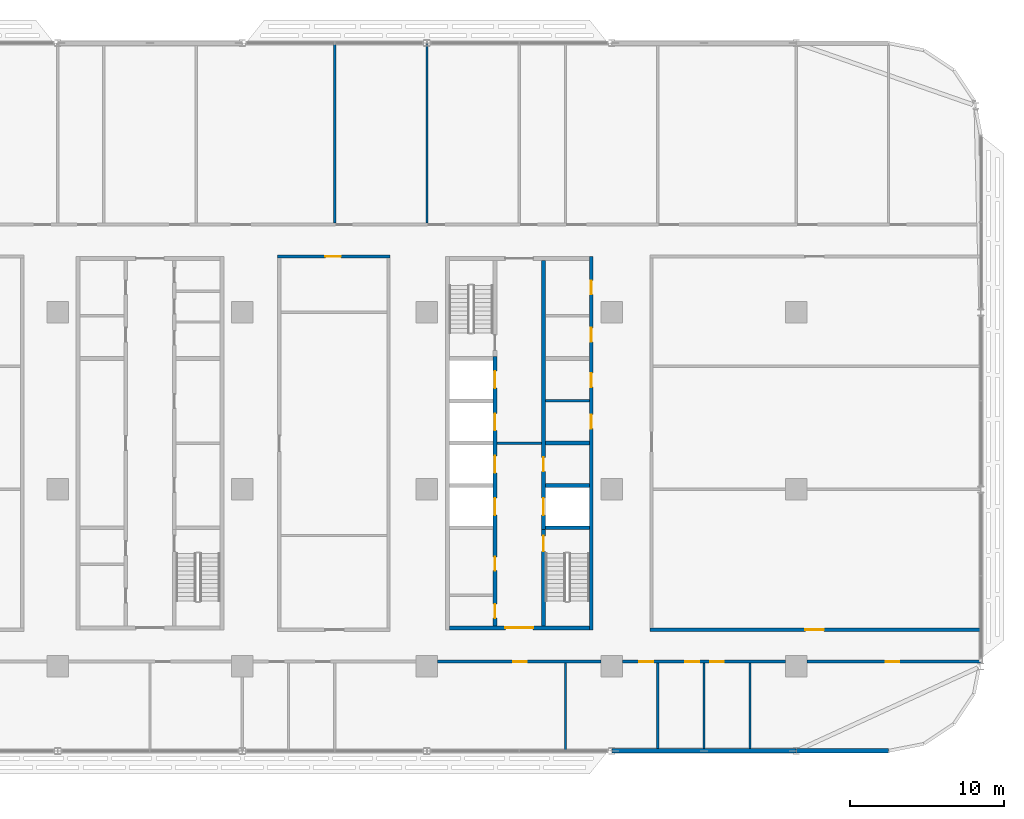
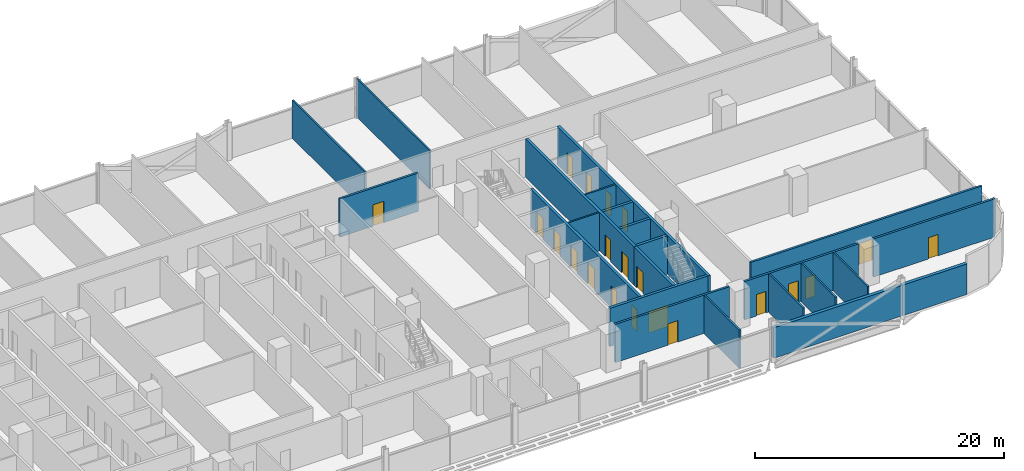
# One storey, part 16 of 29: 23 walls, 21 doors, 21 openings.
"""IFC4 building model written with IfcOpenShell, lengths in metres."""

from ifc_helpers import new_model, si_unit, direction, frame, frame_2d, origin, place, context, subcontext, project, spatial, rectangle, extrude, material, layer, layer_set, type_object, element, fill, save


model = new_model("IFC4")

# Units and contexts
model_context = context("Model", 3, precision=1e-05, world=origin(), true_north=direction((0.0, 1.0)))
body_context = subcontext(model_context, "Body", "Model", "MODEL_VIEW")
ifc_project = project(units=[si_unit("LENGTHUNIT", "METRE"), si_unit("AREAUNIT", "SQUARE_METRE"), si_unit("VOLUMEUNIT", "CUBIC_METRE"), si_unit("PLANEANGLEUNIT", "RADIAN"), si_unit("MASSUNIT", "GRAM", prefix="KILO")], contexts=[model_context])

# Site, building, storey
site_placement = place(None, origin())
site = spatial("IfcSite", under=ifc_project, at=site_placement, CompositionType="ELEMENT")
building_placement = place(site_placement, origin())
building = spatial("IfcBuilding", under=site, at=building_placement, Name="Mahtab Terrace Research Tower", CompositionType="ELEMENT")
storey_placement = place(building_placement, frame((0.0, 0.0, 105.300048828125)))
storey = spatial("IfcBuildingStorey", under=building, at=storey_placement, Name="L24", CompositionType="ELEMENT", Elevation=105.300048828125)

# Walls
ifc_material_1 = material(Name="Gypsum board partition")
ifc_layer_1 = layer(ifc_material_1, 0.14990234375)
ifc_layer_set_1 = layer_set([ifc_layer_1], Name="Core partition 150")
wall_type_1 = type_object("IfcWallType", Name="Core partition 150", PredefinedType="PARTITIONING", material=ifc_layer_set_1)
wall_1_placement = place(storey_placement, frame((22.550048828125, 3.0, 0.0), z_axis=(0.0, 0.0, 1.0), x_axis=(1.0, 0.0, 0.0)))
element("IfcWall", 1, at=wall_1_placement, inside=storey, type_object=wall_type_1, Name="Core wall C ffl", PredefinedType="PARTITIONING", context=body_context, shape_type="SweptSolid", body=[
    extrude(rectangle(XDim=2.89990234375, YDim=0.14990234375, at=frame_2d((1.449951171875, 0.0))), origin(), (0.0, 0.0, 1.0), 3.760009765625),
])
wall_2_placement = place(storey_placement, frame((25.699951171875, 5.75, 0.0), z_axis=(0.0, 0.0, 1.0), x_axis=(1.0, 0.0, 0.0)))
element("IfcWall", 2, at=wall_2_placement, inside=storey, type_object=wall_type_1, Name="Core wall C pEL275", PredefinedType="PARTITIONING", context=body_context, shape_type="SweptSolid", body=[
    extrude(rectangle(XDim=2.85009765625, YDim=0.14990234375, at=frame_2d((1.425048828125, 0.0))), origin(), (0.0, 0.0, 1.0), 3.760009765625),
])

# Wall, openings, doors
ifc_material_2 = material(Name="Concrete C70/85", Category="concrete")
ifc_layer_2 = layer(ifc_material_2, 0.25)
ifc_layer_set_2 = layer_set([ifc_layer_2], Name="Core wall 250")
wall_type_2 = type_object("IfcWallType", Name="Core wall 250", PredefinedType="SOLIDWALL", material=ifc_layer_set_2)
wall_3_placement = place(storey_placement, frame((28.675048828125, -9.125, 0.0), z_axis=(0.0, 0.0, 1.0), x_axis=(0.0, 1.0, 0.0)))
wall_3 = element("IfcWall", 3, at=wall_3_placement, inside=storey, type_object=wall_type_2, Name="Core wall C outerE", PredefinedType="SOLIDWALL", context=body_context, shape_type="SweptSolid", body=[
    extrude(rectangle(XDim=24.25, YDim=0.25, at=frame_2d((12.125, 0.0))), origin(), (0.0, 0.0, 1.0), 3.760009765625),
])
opening_1_placement = place(wall_3_placement, frame((13.074951171875, 0.0, 0.0)))
opening_1 = element("IfcOpeningElement", 4, at=opening_1_placement, cuts=wall_3, Name="Opening C-R2", PredefinedType="OPENING", context=body_context, shape_type="SweptSolid", body=[
    extrude(rectangle(XDim=0.89990234375, YDim=2.10009765625, at=frame_2d((0.449951171875, 1.050048828125))), frame((0.0, 0.135009765625, 0.0), z_axis=(0.0, -1.0, 0.0), x_axis=(1.0, 0.0, 0.0)), (0.0, 0.0, 1.0), 0.27001953125),
])
opening_2_placement = place(wall_3_placement, frame((15.77490234375, 0.0, 0.0)))
opening_2 = element("IfcOpeningElement", 5, at=opening_2_placement, cuts=wall_3, Name="Opening C-R3", PredefinedType="OPENING", context=body_context, shape_type="SweptSolid", body=[
    extrude(rectangle(XDim=0.89990234375, YDim=2.10009765625, at=frame_2d((0.449951171875, 1.050048828125))), frame((0.0, 0.135009765625, 0.0), z_axis=(0.0, -1.0, 0.0), x_axis=(1.0, 0.0, 0.0)), (0.0, 0.0, 1.0), 0.27001953125),
])
opening_3_placement = place(wall_3_placement, frame((18.71240234375, 0.0, 0.0)))
opening_3 = element("IfcOpeningElement", 6, at=opening_3_placement, cuts=wall_3, Name="Opening C-R6", PredefinedType="OPENING", context=body_context, shape_type="SweptSolid", body=[
    extrude(rectangle(XDim=0.89990234375, YDim=2.10009765625, at=frame_2d((0.449951171875, 1.050048828125))), frame((0.0, 0.135009765625, 0.0), z_axis=(0.0, -1.0, 0.0), x_axis=(1.0, 0.0, 0.0)), (0.0, 0.0, 1.0), 0.27001953125),
])
opening_4_placement = place(wall_3_placement, frame((21.78759765625, 0.0, 0.0)))
opening_4 = element("IfcOpeningElement", 7, at=opening_4_placement, cuts=wall_3, Name="Opening C-R7", PredefinedType="OPENING", context=body_context, shape_type="SweptSolid", body=[
    extrude(rectangle(XDim=0.89990234375, YDim=2.10009765625, at=frame_2d((0.449951171875, 1.050048828125))), frame((0.0, 0.135009765625, 0.0), z_axis=(0.0, -1.0, 0.0), x_axis=(1.0, 0.0, 0.0)), (0.0, 0.0, 1.0), 0.27001953125),
])
ifc_material_3 = material(Name="Steel fire door", Category="steel")
door_type_1 = type_object("IfcDoorType", Name="Room door 900x2100 1 HR", OperationType="NOTDEFINED", PredefinedType="DOOR", material=ifc_material_3)
door_1_placement = place(opening_1_placement, origin())
door_1 = element("IfcDoor", 8, at=door_1_placement, inside=storey, type_object=door_type_1, Name="Document store door", OperationType="SINGLE_SWING_RIGHT", OverallHeight=2.10009765625, OverallWidth=0.89990234375, PredefinedType="DOOR", context=body_context, shape_type="SweptSolid", body=[
    extrude(rectangle(XDim=0.89990234375, YDim=2.10009765625, at=frame_2d((0.449951171875, 1.050048828125))), frame((0.0, 0.02490234375, 0.0), z_axis=(0.0, -1.0, 0.0), x_axis=(1.0, 0.0, 0.0)), (0.0, 0.0, 1.0), 0.050048828125),
])
fill(opening_1, door_1)
door_2_placement = place(opening_2_placement, origin())
door_2 = element("IfcDoor", 9, at=door_2_placement, inside=storey, type_object=door_type_1, Name="IT equipment room door", OperationType="SINGLE_SWING_LEFT", OverallHeight=2.10009765625, OverallWidth=0.89990234375, PredefinedType="DOOR", context=body_context, shape_type="SweptSolid", body=[
    extrude(rectangle(XDim=0.89990234375, YDim=2.10009765625, at=frame_2d((0.449951171875, 1.050048828125))), frame((0.0, 0.02490234375, 0.0), z_axis=(0.0, -1.0, 0.0), x_axis=(1.0, 0.0, 0.0)), (0.0, 0.0, 1.0), 0.050048828125),
])
fill(opening_2, door_2)
door_3_placement = place(opening_3_placement, origin())
door_3 = element("IfcDoor", 10, at=door_3_placement, inside=storey, type_object=door_type_1, Name="Mechanical riser room door", OperationType="SINGLE_SWING_RIGHT", OverallHeight=2.10009765625, OverallWidth=0.89990234375, PredefinedType="DOOR", context=body_context, shape_type="SweptSolid", body=[
    extrude(rectangle(XDim=0.89990234375, YDim=2.10009765625, at=frame_2d((0.449951171875, 1.050048828125))), frame((0.0, 0.02490234375, 0.0), z_axis=(0.0, -1.0, 0.0), x_axis=(1.0, 0.0, 0.0)), (0.0, 0.0, 1.0), 0.050048828125),
])
fill(opening_3, door_3)
door_4_placement = place(opening_4_placement, origin())
door_4 = element("IfcDoor", 11, at=door_4_placement, inside=storey, type_object=door_type_1, Name="Chemical store door", OperationType="SINGLE_SWING_LEFT", OverallHeight=2.10009765625, OverallWidth=0.89990234375, PredefinedType="DOOR", context=body_context, shape_type="SweptSolid", body=[
    extrude(rectangle(XDim=0.89990234375, YDim=2.10009765625, at=frame_2d((0.449951171875, 1.050048828125))), frame((0.0, 0.02490234375, 0.0), z_axis=(0.0, -1.0, 0.0), x_axis=(1.0, 0.0, 0.0)), (0.0, 0.0, 1.0), 0.050048828125),
])
fill(opening_4, door_4)

# Wall, opening, door
wall_4_placement = place(storey_placement, frame((28.550048828125, -9.0, 0.0), z_axis=(0.0, 0.0, 1.0), x_axis=(-1.0, 0.0, 0.0)))
wall_4 = element("IfcWall", 12, at=wall_4_placement, inside=storey, type_object=wall_type_2, Name="Core wall C endS", PredefinedType="SOLIDWALL", context=body_context, shape_type="SweptSolid", body=[
    extrude(rectangle(XDim=9.10009765625, YDim=0.25, at=frame_2d((4.550048828125, 0.0))), origin(), (0.0, 0.0, 1.0), 3.760009765625),
])
opening_5_placement = place(wall_4_placement, frame((3.64990234375, 0.0, 0.0)))
opening_5 = element("IfcOpeningElement", 13, at=opening_5_placement, cuts=wall_4, Name="Opening C-S1", PredefinedType="OPENING", context=body_context, shape_type="SweptSolid", body=[
    extrude(rectangle(XDim=1.800048828125, YDim=2.10009765625, at=frame_2d((0.89990234375, 1.050048828125))), frame((0.0, 0.135009765625, 0.0), z_axis=(0.0, -1.0, 0.0), x_axis=(1.0, 0.0, 0.0)), (0.0, 0.0, 1.0), 0.27001953125),
])
door_type_2 = type_object("IfcDoorType", Name="Lobby double door 1800x2100 1 HR", OperationType="DOUBLE_DOOR_SINGLE_SWING", PredefinedType="DOOR", material=ifc_material_3)
door_5_placement = place(opening_5_placement, origin())
door_5 = element("IfcDoor", 14, at=door_5_placement, inside=storey, type_object=door_type_2, Name="Core entrance door C S", OperationType="DOUBLE_DOOR_SINGLE_SWING", OverallHeight=2.10009765625, OverallWidth=1.800048828125, PredefinedType="DOOR", context=body_context, shape_type="SweptSolid", body=[
    extrude(rectangle(XDim=1.800048828125, YDim=2.10009765625, at=frame_2d((0.89990234375, 1.050048828125))), frame((0.0, 0.02490234375, 0.0), z_axis=(0.0, -1.0, 0.0), x_axis=(1.0, 0.0, 0.0)), (0.0, 0.0, 1.0), 0.050048828125),
])
fill(opening_5, door_5)

# Wall, openings, doors
wall_5_placement = place(storey_placement, frame((22.425048828125, -8.875, 0.0), z_axis=(0.0, 0.0, 1.0), x_axis=(0.0, 1.0, 0.0)))
wall_5 = element("IfcWall", 15, at=wall_5_placement, inside=storey, type_object=wall_type_2, Name="Core wall C innerWSL", PredefinedType="SOLIDWALL", context=body_context, shape_type="SweptSolid", body=[
    extrude(rectangle(XDim=17.5, YDim=0.25, at=frame_2d((8.75, 0.0))), origin(), (0.0, 0.0, 1.0), 3.760009765625),
])
opening_6_placement = place(wall_5_placement, frame((7.199951171875, 0.0, 0.0)))
opening_6 = element("IfcOpeningElement", 16, at=opening_6_placement, cuts=wall_5, Name="Opening LD17-L24", PredefinedType="OPENING", context=body_context, shape_type="SweptSolid", body=[
    extrude(rectangle(XDim=1.10009765625, YDim=2.10009765625, at=frame_2d((0.550048828125, 1.050048828125))), frame((0.0, 0.135009765625, 0.0), z_axis=(0.0, -1.0, 0.0), x_axis=(1.0, 0.0, 0.0)), (0.0, 0.0, 1.0), 0.27001953125),
])
opening_7_placement = place(wall_5_placement, frame((9.949951171875, 0.0, 0.0)))
opening_7 = element("IfcOpeningElement", 17, at=opening_7_placement, cuts=wall_5, Name="Opening LD18-L24", PredefinedType="OPENING", context=body_context, shape_type="SweptSolid", body=[
    extrude(rectangle(XDim=1.10009765625, YDim=2.10009765625, at=frame_2d((0.550048828125, 1.050048828125))), frame((0.0, 0.135009765625, 0.0), z_axis=(0.0, -1.0, 0.0), x_axis=(1.0, 0.0, 0.0)), (0.0, 0.0, 1.0), 0.27001953125),
])
opening_8_placement = place(wall_5_placement, frame((12.699951171875, 0.0, 0.0)))
opening_8 = element("IfcOpeningElement", 18, at=opening_8_placement, cuts=wall_5, Name="Opening LD19-L24", PredefinedType="OPENING", context=body_context, shape_type="SweptSolid", body=[
    extrude(rectangle(XDim=1.10009765625, YDim=2.10009765625, at=frame_2d((0.550048828125, 1.050048828125))), frame((0.0, 0.135009765625, 0.0), z_axis=(0.0, -1.0, 0.0), x_axis=(1.0, 0.0, 0.0)), (0.0, 0.0, 1.0), 0.27001953125),
])
opening_9_placement = place(wall_5_placement, frame((15.449951171875, 0.0, 0.0)))
opening_9 = element("IfcOpeningElement", 19, at=opening_9_placement, cuts=wall_5, Name="Opening LD20-L24", PredefinedType="OPENING", context=body_context, shape_type="SweptSolid", body=[
    extrude(rectangle(XDim=1.10009765625, YDim=2.10009765625, at=frame_2d((0.550048828125, 1.050048828125))), frame((0.0, 0.135009765625, 0.0), z_axis=(0.0, -1.0, 0.0), x_axis=(1.0, 0.0, 0.0)), (0.0, 0.0, 1.0), 0.27001953125),
])
opening_10_placement = place(wall_5_placement, frame((0.512451171875, 0.0, 0.0)))
opening_10 = element("IfcOpeningElement", 20, at=opening_10_placement, cuts=wall_5, Name="Opening C-R4", PredefinedType="OPENING", context=body_context, shape_type="SweptSolid", body=[
    extrude(rectangle(XDim=0.89990234375, YDim=2.10009765625, at=frame_2d((0.449951171875, 1.050048828125))), frame((0.0, 0.135009765625, 0.0), z_axis=(0.0, -1.0, 0.0), x_axis=(1.0, 0.0, 0.0)), (0.0, 0.0, 1.0), 0.27001953125),
])
opening_11_placement = place(wall_5_placement, frame((3.58740234375, 0.0, 0.0)))
opening_11 = element("IfcOpeningElement", 21, at=opening_11_placement, cuts=wall_5, Name="Opening C-R5", PredefinedType="OPENING", context=body_context, shape_type="SweptSolid", body=[
    extrude(rectangle(XDim=0.89990234375, YDim=2.10009765625, at=frame_2d((0.449951171875, 1.050048828125))), frame((0.0, 0.135009765625, 0.0), z_axis=(0.0, -1.0, 0.0), x_axis=(1.0, 0.0, 0.0)), (0.0, 0.0, 1.0), 0.27001953125),
])
ifc_material_4 = material(Name="Stainless steel AISI 304", Category="steel")
door_type_3 = type_object("IfcDoorType", Name="Landing door 1100x2100", OperationType="DOUBLE_DOOR_SLIDING", PredefinedType="DOOR", material=ifc_material_4)
door_6_placement = place(opening_6_placement, origin())
door_6 = element("IfcDoor", 22, at=door_6_placement, inside=storey, type_object=door_type_3, Name="Landing door SV1 L24", OperationType="DOUBLE_DOOR_SLIDING", OverallHeight=2.10009765625, OverallWidth=1.10009765625, PredefinedType="DOOR", context=body_context, shape_type="SweptSolid", body=[
    extrude(rectangle(XDim=1.10009765625, YDim=2.10009765625, at=frame_2d((0.550048828125, 1.050048828125))), frame((0.0, 0.02490234375, 0.0), z_axis=(0.0, -1.0, 0.0), x_axis=(1.0, 0.0, 0.0)), (0.0, 0.0, 1.0), 0.050048828125),
])
fill(opening_6, door_6)
door_7_placement = place(opening_7_placement, origin())
door_7 = element("IfcDoor", 23, at=door_7_placement, inside=storey, type_object=door_type_3, Name="Landing door SV2 L24", OperationType="DOUBLE_DOOR_SLIDING", OverallHeight=2.10009765625, OverallWidth=1.10009765625, PredefinedType="DOOR", context=body_context, shape_type="SweptSolid", body=[
    extrude(rectangle(XDim=1.10009765625, YDim=2.10009765625, at=frame_2d((0.550048828125, 1.050048828125))), frame((0.0, 0.02490234375, 0.0), z_axis=(0.0, -1.0, 0.0), x_axis=(1.0, 0.0, 0.0)), (0.0, 0.0, 1.0), 0.050048828125),
])
fill(opening_7, door_7)
door_8_placement = place(opening_8_placement, origin())
door_8 = element("IfcDoor", 24, at=door_8_placement, inside=storey, type_object=door_type_3, Name="Landing door FF1 L24", OperationType="DOUBLE_DOOR_SLIDING", OverallHeight=2.10009765625, OverallWidth=1.10009765625, PredefinedType="DOOR", context=body_context, shape_type="SweptSolid", body=[
    extrude(rectangle(XDim=1.10009765625, YDim=2.10009765625, at=frame_2d((0.550048828125, 1.050048828125))), frame((0.0, 0.02490234375, 0.0), z_axis=(0.0, -1.0, 0.0), x_axis=(1.0, 0.0, 0.0)), (0.0, 0.0, 1.0), 0.050048828125),
])
fill(opening_8, door_8)
door_9_placement = place(opening_9_placement, origin())
door_9 = element("IfcDoor", 25, at=door_9_placement, inside=storey, type_object=door_type_3, Name="Landing door FF2 L24", OperationType="DOUBLE_DOOR_SLIDING", OverallHeight=2.10009765625, OverallWidth=1.10009765625, PredefinedType="DOOR", context=body_context, shape_type="SweptSolid", body=[
    extrude(rectangle(XDim=1.10009765625, YDim=2.10009765625, at=frame_2d((0.550048828125, 1.050048828125))), frame((0.0, 0.02490234375, 0.0), z_axis=(0.0, -1.0, 0.0), x_axis=(1.0, 0.0, 0.0)), (0.0, 0.0, 1.0), 0.050048828125),
])
fill(opening_9, door_9)
door_10_placement = place(opening_10_placement, origin())
door_10 = element("IfcDoor", 26, at=door_10_placement, inside=storey, type_object=door_type_1, Name="Accessible WC door", OperationType="SINGLE_SWING_RIGHT", OverallHeight=2.10009765625, OverallWidth=0.89990234375, PredefinedType="DOOR", context=body_context, shape_type="SweptSolid", body=[
    extrude(rectangle(XDim=0.89990234375, YDim=2.10009765625, at=frame_2d((0.449951171875, 1.050048828125))), frame((0.0, 0.02490234375, 0.0), z_axis=(0.0, -1.0, 0.0), x_axis=(1.0, 0.0, 0.0)), (0.0, 0.0, 1.0), 0.050048828125),
])
fill(opening_10, door_10)
door_11_placement = place(opening_11_placement, origin())
door_11 = element("IfcDoor", 27, at=door_11_placement, inside=storey, type_object=door_type_1, Name="WC block door", OperationType="SINGLE_SWING_LEFT", OverallHeight=2.10009765625, OverallWidth=0.89990234375, PredefinedType="DOOR", context=body_context, shape_type="SweptSolid", body=[
    extrude(rectangle(XDim=0.89990234375, YDim=2.10009765625, at=frame_2d((0.449951171875, 1.050048828125))), frame((0.0, 0.02490234375, 0.0), z_axis=(0.0, -1.0, 0.0), x_axis=(1.0, 0.0, 0.0)), (0.0, 0.0, 1.0), 0.050048828125),
])
fill(opening_11, door_11)

# Wall, opening, door
wall_6_placement = place(storey_placement, frame((25.574951171875, -8.875, 0.0), z_axis=(0.0, 0.0, 1.0), x_axis=(0.0, 1.0, 0.0)))
wall_6 = element("IfcWall", 28, at=wall_6_placement, inside=storey, type_object=wall_type_2, Name="Core wall C innerES", PredefinedType="SOLIDWALL", context=body_context, shape_type="SweptSolid", body=[
    extrude(rectangle(XDim=6.25, YDim=0.25, at=frame_2d((3.125, 0.0))), origin(), (0.0, 0.0, 1.0), 3.760009765625),
])
opening_12_placement = place(wall_6_placement, frame((4.85009765625, 0.0, 0.0)))
opening_12 = element("IfcOpeningElement", 29, at=opening_12_placement, cuts=wall_6, Name="Opening C-ST4", PredefinedType="OPENING", context=body_context, shape_type="SweptSolid", body=[
    extrude(rectangle(XDim=1.0, YDim=2.10009765625, at=frame_2d((0.5, 1.050048828125))), frame((0.0, 0.135009765625, 0.0), z_axis=(0.0, -1.0, 0.0), x_axis=(1.0, 0.0, 0.0)), (0.0, 0.0, 1.0), 0.27001953125),
])
door_type_4 = type_object("IfcDoorType", Name="Stair door 1000x2100 1.5 HR", OperationType="NOTDEFINED", PredefinedType="DOOR", material=ifc_material_3)
door_12_placement = place(opening_12_placement, origin())
door_12 = element("IfcDoor", 30, at=door_12_placement, inside=storey, type_object=door_type_4, Name="Stair door ST4 L24", OperationType="SINGLE_SWING_LEFT", OverallHeight=2.10009765625, OverallWidth=1.0, PredefinedType="DOOR", context=body_context, shape_type="SweptSolid", body=[
    extrude(rectangle(XDim=1.0, YDim=2.10009765625, at=frame_2d((0.5, 1.050048828125))), frame((0.0, 0.02490234375, 0.0), z_axis=(0.0, -1.0, 0.0), x_axis=(1.0, 0.0, 0.0)), (0.0, 0.0, 1.0), 0.050048828125),
])
fill(opening_12, door_12)

# Wall, openings, doors
wall_7_placement = place(storey_placement, frame((25.574951171875, 14.875, 0.0), z_axis=(0.0, 0.0, 1.0), x_axis=(0.0, -1.0, 0.0)))
wall_7 = element("IfcWall", 31, at=wall_7_placement, inside=storey, type_object=wall_type_2, Name="Core wall C innerELN", PredefinedType="SOLIDWALL", context=body_context, shape_type="SweptSolid", body=[
    extrude(rectangle(XDim=17.5, YDim=0.25, at=frame_2d((8.75, 0.0))), origin(), (0.0, 0.0, 1.0), 3.760009765625),
])
opening_13_placement = place(wall_7_placement, frame((15.449951171875, 0.0, 0.0)))
opening_13 = element("IfcOpeningElement", 32, at=opening_13_placement, cuts=wall_7, Name="Opening LD21-L24", PredefinedType="OPENING", context=body_context, shape_type="SweptSolid", body=[
    extrude(rectangle(XDim=1.10009765625, YDim=2.10009765625, at=frame_2d((0.550048828125, 1.050048828125))), frame((0.0, 0.135009765625, 0.0), z_axis=(0.0, -1.0, 0.0), x_axis=(1.0, 0.0, 0.0)), (0.0, 0.0, 1.0), 0.27001953125),
])
opening_14_placement = place(wall_7_placement, frame((12.800048828125, 0.0, 0.0)))
opening_14 = element("IfcOpeningElement", 33, at=opening_14_placement, cuts=wall_7, Name="Opening C-R1", PredefinedType="OPENING", context=body_context, shape_type="SweptSolid", body=[
    extrude(rectangle(XDim=0.89990234375, YDim=2.10009765625, at=frame_2d((0.449951171875, 1.050048828125))), frame((0.0, 0.135009765625, 0.0), z_axis=(0.0, -1.0, 0.0), x_axis=(1.0, 0.0, 0.0)), (0.0, 0.0, 1.0), 0.27001953125),
])
door_13_placement = place(opening_13_placement, origin())
door_13 = element("IfcDoor", 34, at=door_13_placement, inside=storey, type_object=door_type_3, Name="Landing door SV3 L24", OperationType="DOUBLE_DOOR_SLIDING", OverallHeight=2.10009765625, OverallWidth=1.10009765625, PredefinedType="DOOR", context=body_context, shape_type="SweptSolid", body=[
    extrude(rectangle(XDim=1.10009765625, YDim=2.10009765625, at=frame_2d((0.550048828125, 1.050048828125))), frame((0.0, 0.02490234375, 0.0), z_axis=(0.0, -1.0, 0.0), x_axis=(1.0, 0.0, 0.0)), (0.0, 0.0, 1.0), 0.050048828125),
])
fill(opening_13, door_13)
door_14_placement = place(opening_14_placement, origin())
door_14 = element("IfcDoor", 35, at=door_14_placement, inside=storey, type_object=door_type_1, Name="Plant room door", OperationType="SINGLE_SWING_LEFT", OverallHeight=2.10009765625, OverallWidth=0.89990234375, PredefinedType="DOOR", context=body_context, shape_type="SweptSolid", body=[
    extrude(rectangle(XDim=0.89990234375, YDim=2.10009765625, at=frame_2d((0.449951171875, 1.050048828125))), frame((0.0, 0.02490234375, 0.0), z_axis=(0.0, -1.0, 0.0), x_axis=(1.0, 0.0, 0.0)), (0.0, 0.0, 1.0), 0.050048828125),
])
fill(opening_14, door_14)

# Walls
for number, where, z_axis, x_axis, name in (
    (36, (25.699951171875, -2.5, 0.0), (0.0, 0.0, 1.0), (1.0, 0.0, 0.0), "Core wall C divE0"),
    (37, (25.699951171875, 0.25, 0.0), (0.0, 0.0, 1.0), (1.0, 0.0, 0.0), "Core wall C divE1"),
    (38, (25.699951171875, 3.0, 0.0), (0.0, 0.0, 1.0), (1.0, 0.0, 0.0), "Core wall C divE2"),
):
    element("IfcWall", number, at=place(storey_placement, frame(where, z_axis=z_axis, x_axis=x_axis)), inside=storey, type_object=wall_type_2, Name=name, PredefinedType="SOLIDWALL", context=body_context, shape_type="SweptSolid", body=[
        extrude(rectangle(XDim=2.85009765625, YDim=0.25, at=frame_2d((1.425048828125, 0.0))), origin(), (0.0, 0.0, 1.0), 3.760009765625),
    ])
ifc_material_5 = material(Name="Black aluminium cladding panel", Category="aluminium")
ifc_layer_3 = layer(ifc_material_5, 0.300048828125)
ifc_layer_set_3 = layer_set([ifc_layer_3], Name="Opaque facade wall 300")
wall_type_3 = type_object("IfcWallType", Name="Opaque facade wall 300", PredefinedType="NOTDEFINED", material=ifc_layer_set_3)
wall_8_placement = place(storey_placement, frame((30.02099609375, -17.0, 0.0), z_axis=(0.0, 0.0, 1.0), x_axis=(1.0, 0.0, 0.0)))
element("IfcWall", 39, at=wall_8_placement, inside=storey, type_object=wall_type_3, Name="Opaque facade wall L24 S29", PredefinedType="NOTDEFINED", context=body_context, shape_type="SweptSolid", body=[
    extrude(rectangle(XDim=11.9580078125, YDim=0.300048828125, at=frame_2d((5.97900390625, 0.0))), origin(), (0.0, 0.0, 1.0), 3.0029296875),
])
wall_9_placement = place(storey_placement, frame((42.02099609375, -17.0, 0.0), z_axis=(0.0, 0.0, 1.0), x_axis=(1.0, 0.0, 0.0)))
element("IfcWall", 40, at=wall_9_placement, inside=storey, type_object=wall_type_3, Name="Opaque facade wall L24 S30", PredefinedType="NOTDEFINED", context=body_context, shape_type="SweptSolid", body=[
    extrude(rectangle(XDim=5.97900390625, YDim=0.300048828125, at=frame_2d((2.989501953125, 0.0))), origin(), (0.0, 0.0, 1.0), 3.0029296875),
])

# Wall, opening, door
ifc_material_6 = material(Name="Gypsum board corridor wall on steel studs", Category="steel")
ifc_layer_4 = layer(ifc_material_6, 0.199951171875)
ifc_layer_set_4 = layer_set([ifc_layer_4], Name="WALL CORRIDOR 200")
wall_type_4 = type_object("IfcWallType", Name="WALL CORRIDOR 200", PredefinedType="PARTITIONING", material=ifc_layer_set_4)
wall_10_placement = place(storey_placement, frame((18.699951171875, -11.199951171875, 0.0), z_axis=(0.0, 0.0, 1.0), x_axis=(1.0, 0.0, 0.0)))
wall_10 = element("IfcWall", 41, at=wall_10_placement, inside=storey, type_object=wall_type_4, Name="L24-W006", PredefinedType="PARTITIONING", context=body_context, shape_type="SweptSolid", body=[
    extrude(rectangle(XDim=10.60009765625, YDim=0.199951171875, at=frame_2d((5.300048828125, 0.0))), origin(), (0.0, 0.0, 1.0), 3.760009765625),
])
opening_15_placement = place(wall_10_placement, frame((4.89990234375, 0.0, 0.0)))
opening_15 = element("IfcOpeningElement", 42, at=opening_15_placement, cuts=wall_10, Name="Opening L24-109", PredefinedType="OPENING", context=body_context, shape_type="SweptSolid", body=[
    extrude(rectangle(XDim=0.89990234375, YDim=2.10009765625, at=frame_2d((0.449951171875, 1.050048828125))), frame((0.0, 0.10986328125, 0.0), z_axis=(0.0, -1.0, 0.0), x_axis=(1.0, 0.0, 0.0)), (0.0, 0.0, 1.0), 0.219970703125),
])
ifc_material_7 = material(Name="Timber door leaf in steel frame", Category="steel")
door_type_5 = type_object("IfcDoorType", Name="DOOR 0900X2100 FD30S", OperationType="SINGLE_SWING_LEFT", PredefinedType="DOOR", material=ifc_material_7)
door_15_placement = place(opening_15_placement, origin())
door_15 = element("IfcDoor", 43, at=door_15_placement, inside=storey, type_object=door_type_5, Name="Door L24-109", OperationType="SINGLE_SWING_LEFT", OverallHeight=2.10009765625, OverallWidth=0.89990234375, PredefinedType="DOOR", context=body_context, shape_type="SweptSolid", body=[
    extrude(rectangle(XDim=0.89990234375, YDim=2.10009765625, at=frame_2d((0.449951171875, 1.050048828125))), frame((0.0, 0.02490234375, 0.0), z_axis=(0.0, -1.0, 0.0), x_axis=(1.0, 0.0, 0.0)), (0.0, 0.0, 1.0), 0.050048828125),
])
fill(opening_15, door_15)

# Wall, openings, doors
wall_11_placement = place(storey_placement, frame((30.699951171875, -11.199951171875, 0.0), z_axis=(0.0, 0.0, 1.0), x_axis=(1.0, 0.0, 0.0)))
wall_11 = element("IfcWall", 44, at=wall_11_placement, inside=storey, type_object=wall_type_4, Name="L24-W007", PredefinedType="PARTITIONING", context=body_context, shape_type="SweptSolid", body=[
    extrude(rectangle(XDim=10.60009765625, YDim=0.199951171875, at=frame_2d((5.300048828125, 0.0))), origin(), (0.0, 0.0, 1.0), 3.760009765625),
])
opening_16_placement = place(wall_11_placement, frame((1.10009765625, 0.0, 0.0)))
opening_16 = element("IfcOpeningElement", 45, at=opening_16_placement, cuts=wall_11, Name="Opening L24-110", PredefinedType="OPENING", context=body_context, shape_type="SweptSolid", body=[
    extrude(rectangle(XDim=0.89990234375, YDim=2.10009765625, at=frame_2d((0.449951171875, 1.050048828125))), frame((0.0, 0.10986328125, 0.0), z_axis=(0.0, -1.0, 0.0), x_axis=(1.0, 0.0, 0.0)), (0.0, 0.0, 1.0), 0.219970703125),
])
opening_17_placement = place(wall_11_placement, frame((4.10009765625, 0.0, 0.0)))
opening_17 = element("IfcOpeningElement", 46, at=opening_17_placement, cuts=wall_11, Name="Opening L24-111", PredefinedType="OPENING", context=body_context, shape_type="SweptSolid", body=[
    extrude(rectangle(XDim=0.89990234375, YDim=2.10009765625, at=frame_2d((0.449951171875, 1.050048828125))), frame((0.0, 0.10986328125, 0.0), z_axis=(0.0, -1.0, 0.0), x_axis=(1.0, 0.0, 0.0)), (0.0, 0.0, 1.0), 0.219970703125),
])
opening_18_placement = place(wall_11_placement, frame((5.699951171875, 0.0, 0.0)))
opening_18 = element("IfcOpeningElement", 47, at=opening_18_placement, cuts=wall_11, Name="Opening L24-112", PredefinedType="OPENING", context=body_context, shape_type="SweptSolid", body=[
    extrude(rectangle(XDim=0.89990234375, YDim=2.10009765625, at=frame_2d((0.449951171875, 1.050048828125))), frame((0.0, 0.10986328125, 0.0), z_axis=(0.0, -1.0, 0.0), x_axis=(1.0, 0.0, 0.0)), (0.0, 0.0, 1.0), 0.219970703125),
])
door_16_placement = place(opening_16_placement, origin())
door_16 = element("IfcDoor", 48, at=door_16_placement, inside=storey, type_object=door_type_5, Name="Door L24-110", OperationType="SINGLE_SWING_RIGHT", OverallHeight=2.10009765625, OverallWidth=0.89990234375, PredefinedType="DOOR", context=body_context, shape_type="SweptSolid", body=[
    extrude(rectangle(XDim=0.89990234375, YDim=2.10009765625, at=frame_2d((0.449951171875, 1.050048828125))), frame((0.0, 0.02490234375, 0.0), z_axis=(0.0, -1.0, 0.0), x_axis=(1.0, 0.0, 0.0)), (0.0, 0.0, 1.0), 0.050048828125),
])
fill(opening_16, door_16)
door_17_placement = place(opening_17_placement, origin())
door_17 = element("IfcDoor", 49, at=door_17_placement, inside=storey, type_object=door_type_5, Name="Door L24-111", OperationType="SINGLE_SWING_RIGHT", OverallHeight=2.10009765625, OverallWidth=0.89990234375, PredefinedType="DOOR", context=body_context, shape_type="SweptSolid", body=[
    extrude(rectangle(XDim=0.89990234375, YDim=2.10009765625, at=frame_2d((0.449951171875, 1.050048828125))), frame((0.0, 0.02490234375, 0.0), z_axis=(0.0, -1.0, 0.0), x_axis=(1.0, 0.0, 0.0)), (0.0, 0.0, 1.0), 0.050048828125),
])
fill(opening_17, door_17)
door_18_placement = place(opening_18_placement, origin())
door_18 = element("IfcDoor", 50, at=door_18_placement, inside=storey, type_object=door_type_5, Name="Door L24-112", OperationType="SINGLE_SWING_LEFT", OverallHeight=2.10009765625, OverallWidth=0.89990234375, PredefinedType="DOOR", context=body_context, shape_type="SweptSolid", body=[
    extrude(rectangle(XDim=0.89990234375, YDim=2.10009765625, at=frame_2d((0.449951171875, 1.050048828125))), frame((0.0, 0.02490234375, 0.0), z_axis=(0.0, -1.0, 0.0), x_axis=(1.0, 0.0, 0.0)), (0.0, 0.0, 1.0), 0.050048828125),
])
fill(opening_18, door_18)

# Wall, opening, door
wall_12_placement = place(storey_placement, frame((42.699951171875, -11.199951171875, 0.0), z_axis=(0.0, 0.0, 1.0), x_axis=(1.0, 0.0, 0.0)))
wall_12 = element("IfcWall", 51, at=wall_12_placement, inside=storey, type_object=wall_type_4, Name="L24-W008", PredefinedType="PARTITIONING", context=body_context, shape_type="SweptSolid", body=[
    extrude(rectangle(XDim=11.275146484375, YDim=0.199951171875, at=frame_2d((5.6376953125, 0.0))), origin(), (0.0, 0.0, 1.0), 3.760009765625),
])
opening_19_placement = place(wall_12_placement, frame((5.10009765625, 0.0, 0.0)))
opening_19 = element("IfcOpeningElement", 52, at=opening_19_placement, cuts=wall_12, Name="Opening L24-113", PredefinedType="OPENING", context=body_context, shape_type="SweptSolid", body=[
    extrude(rectangle(XDim=0.89990234375, YDim=2.10009765625, at=frame_2d((0.449951171875, 1.050048828125))), frame((0.0, 0.10986328125, 0.0), z_axis=(0.0, -1.0, 0.0), x_axis=(1.0, 0.0, 0.0)), (0.0, 0.0, 1.0), 0.219970703125),
])
door_19_placement = place(opening_19_placement, origin())
door_19 = element("IfcDoor", 53, at=door_19_placement, inside=storey, type_object=door_type_5, Name="Door L24-113", OperationType="SINGLE_SWING_RIGHT", OverallHeight=2.10009765625, OverallWidth=0.89990234375, PredefinedType="DOOR", context=body_context, shape_type="SweptSolid", body=[
    extrude(rectangle(XDim=0.89990234375, YDim=2.10009765625, at=frame_2d((0.449951171875, 1.050048828125))), frame((0.0, 0.02490234375, 0.0), z_axis=(0.0, -1.0, 0.0), x_axis=(1.0, 0.0, 0.0)), (0.0, 0.0, 1.0), 0.050048828125),
])
fill(opening_19, door_19)

wall_13_placement = place(storey_placement, frame((32.5, -9.125, 0.0), z_axis=(0.0, 0.0, 1.0), x_axis=(1.0, 0.0, 0.0)))
wall_13 = element("IfcWall", 54, at=wall_13_placement, inside=storey, type_object=wall_type_4, Name="L24-W012", PredefinedType="PARTITIONING", context=body_context, shape_type="SweptSolid", body=[
    extrude(rectangle(XDim=21.47509765625, YDim=0.199951171875, at=frame_2d((10.737548828125, 0.0))), origin(), (0.0, 0.0, 1.0), 3.760009765625),
])
opening_20_placement = place(wall_13_placement, frame((10.10009765625, 0.0, 0.0)))
opening_20 = element("IfcOpeningElement", 55, at=opening_20_placement, cuts=wall_13, Name="Opening L24-117", PredefinedType="OPENING", context=body_context, shape_type="SweptSolid", body=[
    extrude(rectangle(XDim=1.199951171875, YDim=2.10009765625, at=frame_2d((0.60009765625, 1.050048828125))), frame((0.0, 0.10986328125, 0.0), z_axis=(0.0, -1.0, 0.0), x_axis=(1.0, 0.0, 0.0)), (0.0, 0.0, 1.0), 0.219970703125),
])
door_type_6 = type_object("IfcDoorType", Name="DOOR 1200X2100 FD30S", OperationType="SINGLE_SWING_LEFT", PredefinedType="DOOR", material=ifc_material_7)
door_20_placement = place(opening_20_placement, origin())
door_20 = element("IfcDoor", 56, at=door_20_placement, inside=storey, type_object=door_type_6, Name="Door L24-117", OperationType="SINGLE_SWING_RIGHT", OverallHeight=2.10009765625, OverallWidth=1.199951171875, PredefinedType="DOOR", context=body_context, shape_type="SweptSolid", body=[
    extrude(rectangle(XDim=1.199951171875, YDim=2.10009765625, at=frame_2d((0.60009765625, 1.050048828125))), frame((0.0, 0.02490234375, 0.0), z_axis=(0.0, -1.0, 0.0), x_axis=(1.0, 0.0, 0.0)), (0.0, 0.0, 1.0), 0.050048828125),
])
fill(opening_20, door_20)

wall_14_placement = place(storey_placement, frame((8.300048828125, 15.125, 0.0), z_axis=(0.0, 0.0, 1.0), x_axis=(1.0, 0.0, 0.0)))
wall_14 = element("IfcWall", 57, at=wall_14_placement, inside=storey, type_object=wall_type_4, Name="L24-W024", PredefinedType="PARTITIONING", context=body_context, shape_type="SweptSolid", body=[
    extrude(rectangle(XDim=7.300048828125, YDim=0.199951171875, at=frame_2d((3.64990234375, 0.0))), origin(), (0.0, 0.0, 1.0), 3.760009765625),
])
opening_21_placement = place(wall_14_placement, frame((3.10009765625, 0.0, 0.0)))
opening_21 = element("IfcOpeningElement", 58, at=opening_21_placement, cuts=wall_14, Name="Opening L24-125", PredefinedType="OPENING", context=body_context, shape_type="SweptSolid", body=[
    extrude(rectangle(XDim=1.0, YDim=2.10009765625, at=frame_2d((0.5, 1.050048828125))), frame((0.0, 0.10986328125, 0.0), z_axis=(0.0, -1.0, 0.0), x_axis=(1.0, 0.0, 0.0)), (0.0, 0.0, 1.0), 0.219970703125),
])
door_type_7 = type_object("IfcDoorType", Name="DOOR 1000X2100 FD30S", OperationType="SINGLE_SWING_LEFT", PredefinedType="DOOR", material=ifc_material_7)
door_21_placement = place(opening_21_placement, origin())
door_21 = element("IfcDoor", 59, at=door_21_placement, inside=storey, type_object=door_type_7, Name="Door L24-125", OperationType="SINGLE_SWING_RIGHT", OverallHeight=2.10009765625, OverallWidth=1.0, PredefinedType="DOOR", context=body_context, shape_type="SweptSolid", body=[
    extrude(rectangle(XDim=1.0, YDim=2.10009765625, at=frame_2d((0.5, 1.050048828125))), frame((0.0, 0.02490234375, 0.0), z_axis=(0.0, -1.0, 0.0), x_axis=(1.0, 0.0, 0.0)), (0.0, 0.0, 1.0), 0.050048828125),
])
fill(opening_21, door_21)

# Walls
ifc_material_8 = material(Name="Gypsum board partition on steel studs", Category="steel")
ifc_layer_5 = layer(ifc_material_8, 0.14990234375)
ifc_layer_set_5 = layer_set([ifc_layer_5], Name="WALL PARTITION 150")
wall_type_5 = type_object("IfcWallType", Name="WALL PARTITION 150", PredefinedType="PARTITIONING", material=ifc_layer_set_5)
for number, where, z_axis, x_axis, name in (
    (60, (12.0, 17.300048828125, 0.0), (0.0, 0.0, 1.0), (0.0, 1.0, 0.0), "L24-W048"),
    (61, (18.0, 17.300048828125, 0.0), (0.0, 0.0, 1.0), (0.0, 1.0, 0.0), "L24-W050"),
):
    element("IfcWall", number, at=place(storey_placement, frame(where, z_axis=z_axis, x_axis=x_axis)), inside=storey, type_object=wall_type_5, Name=name, PredefinedType="PARTITIONING", context=body_context, shape_type="SweptSolid", body=[
        extrude(rectangle(XDim=11.675048828125, YDim=0.14990234375, at=frame_2d((5.83740234375, 0.0))), origin(), (0.0, 0.0, 1.0), 3.760009765625),
    ])
wall_15_placement = place(storey_placement, frame((27.0, -16.97509765625, 0.0), z_axis=(0.0, 0.0, 1.0), x_axis=(0.0, 1.0, 0.0)))
element("IfcWall", 62, at=wall_15_placement, inside=storey, type_object=wall_type_5, Name="L24-W052", PredefinedType="PARTITIONING", context=body_context, shape_type="SweptSolid", body=[
    extrude(rectangle(XDim=5.675048828125, YDim=0.14990234375, at=frame_2d((2.83740234375, 0.0))), origin(), (0.0, 0.0, 1.0), 3.760009765625),
])
for number, where, z_axis, x_axis, name in (
    (63, (33.0, -16.85009765625, 0.0), (0.0, 0.0, 1.0), (0.0, 1.0, 0.0), "L24-W055"),
    (64, (36.0, -16.85009765625, 0.0), (0.0, 0.0, 1.0), (0.0, 1.0, 0.0), "L24-W057"),
    (65, (39.0, -16.85009765625, 0.0), (0.0, 0.0, 1.0), (0.0, 1.0, 0.0), "L24-W058"),
):
    element("IfcWall", number, at=place(storey_placement, frame(where, z_axis=z_axis, x_axis=x_axis)), inside=storey, type_object=wall_type_5, Name=name, PredefinedType="PARTITIONING", context=body_context, shape_type="SweptSolid", body=[
        extrude(rectangle(XDim=5.550048828125, YDim=0.14990234375, at=frame_2d((2.77490234375, 0.0))), origin(), (0.0, 0.0, 1.0), 3.760009765625),
    ])

save(model, "model.ifc")
